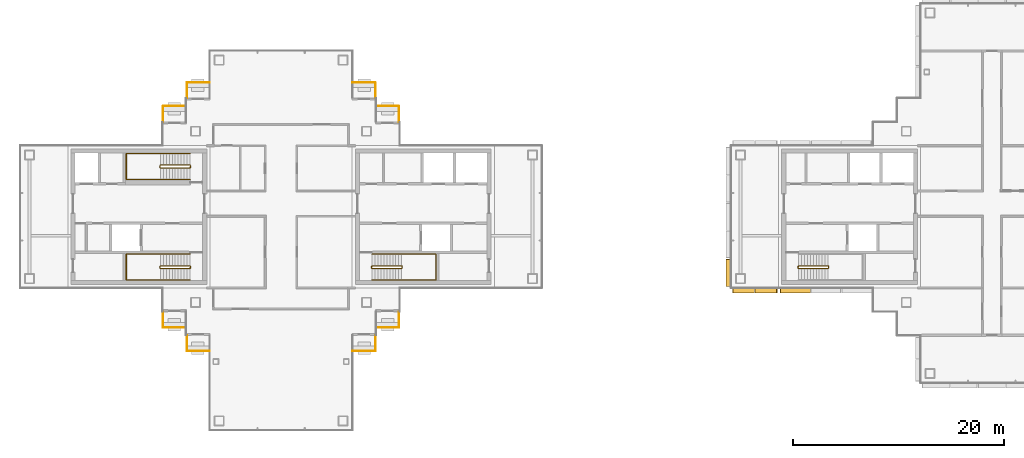
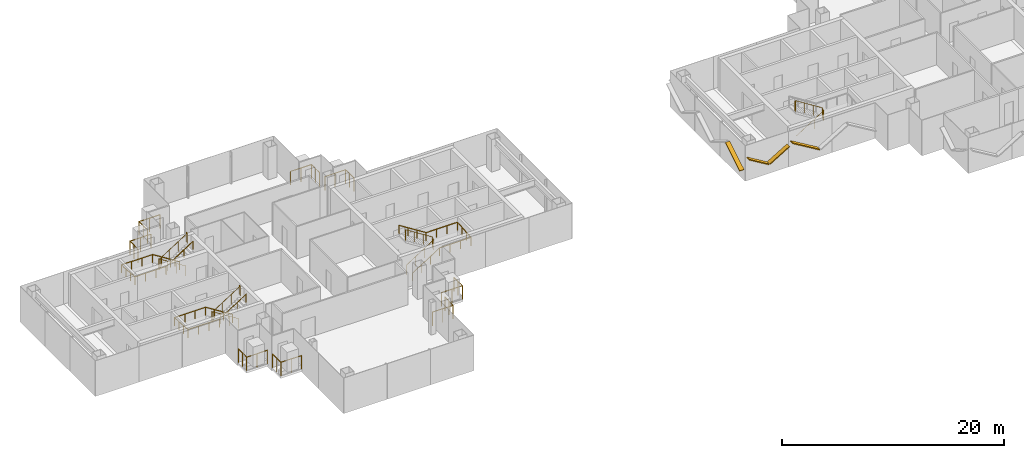
# One storey, part 14 of 17: 15 railings, 4 shading devices.
"""IFC4 building model written with IfcOpenShell, lengths in metres."""

from ifc_helpers import new_model, si_unit, direction, frame, origin, origin_2d, place, context, subcontext, project, spatial, rectangle, circle, extrude, material, material_profile, profile_set, type_object, element, save


model = new_model("IFC4")

# Units and contexts
model_context = context("Model", 3, precision=1e-05, world=origin(), true_north=direction((0.0, 1.0)))
body_context = subcontext(model_context, "Body", "Model", "MODEL_VIEW")
ifc_project = project(units=[si_unit("LENGTHUNIT", "METRE"), si_unit("AREAUNIT", "SQUARE_METRE"), si_unit("VOLUMEUNIT", "CUBIC_METRE"), si_unit("PLANEANGLEUNIT", "RADIAN"), si_unit("MASSUNIT", "GRAM", prefix="KILO")], contexts=[model_context])

# Site, building, storey
site_placement = place(None, origin())
site = spatial("IfcSite", under=ifc_project, at=site_placement, CompositionType="ELEMENT")
building_placement = place(site_placement, origin())
building = spatial("IfcBuilding", under=site, at=building_placement, Name="Shamsa Quay Exchange Towers", CompositionType="ELEMENT")
storey_placement = place(building_placement, frame((0.0, 0.0, 249.89990234375)))
storey = spatial("IfcBuildingStorey", under=building, at=storey_placement, Name="L60", CompositionType="ELEMENT", Elevation=249.89990234375)

# Railings
ifc_material_1 = material(Name="Steel S355, black powder-coated", Category="steel")
railing_type_1 = type_object("IfcRailingType", Name="BALCONY GUARD 1500", PredefinedType="GUARDRAIL", material=ifc_material_1)
for number, where, name in (
    (1, (-22.550048828125, 9.02099609375, 0.0), "Balcony guard T1-PKEN L60"),
    (2, (-24.800048828125, 11.27099609375, 0.0), "Balcony guard T1-PKEN L60"),
):
    element("IfcRailing", number, at=place(storey_placement, frame(where)), inside=storey, type_object=railing_type_1, Name=name, PredefinedType="GUARDRAIL", context=body_context, shape_type="SweptSolid", body=[
        extrude(circle(Radius=0.02392578125, at=origin_2d()), frame((0.0, 0.0, 1.47607421875), z_axis=(0.0, 1.0, 0.0), x_axis=(-1.0, 0.0, 0.0)), (0.0, 0.0, 1.0), 1.47900390625),
        extrude(circle(Radius=0.02392578125, at=origin_2d()), frame((0.0, 1.47900390625, 1.47607421875), z_axis=(-1.0, 0.0, 0.0), x_axis=(0.0, -1.0, 0.0)), (0.0, 0.0, 1.0), 2.161865234375),
        extrude(circle(Radius=0.02099609375, at=origin_2d()), origin(), (0.0, 0.0, 1.0), 1.451904296875),
        extrude(circle(Radius=0.02099609375, at=origin_2d()), frame((0.0, 0.739501953125, 0.0)), (0.0, 0.0, 1.0), 1.451904296875),
        extrude(circle(Radius=0.02099609375, at=origin_2d()), frame((0.0, 1.47900390625, 0.0)), (0.0, 0.0, 1.0), 1.451904296875),
        extrude(circle(Radius=0.02099609375, at=origin_2d()), frame((-1.0810546875, 1.47900390625, 0.0)), (0.0, 0.0, 1.0), 1.451904296875),
        extrude(circle(Radius=0.02099609375, at=origin_2d()), frame((-2.161865234375, 1.47900390625, 0.0)), (0.0, 0.0, 1.0), 1.451904296875),
    ])
for number, where, name in (
    (3, (-24.7119140625, -10.5, 0.0), "Balcony guard T1-PKES L60"),
    (4, (-26.9619140625, -12.75, 0.0), "Balcony guard T1-PKES L60"),
):
    element("IfcRailing", number, at=place(storey_placement, frame(where)), inside=storey, type_object=railing_type_1, Name=name, PredefinedType="GUARDRAIL", context=body_context, shape_type="SweptSolid", body=[
        extrude(circle(Radius=0.02392578125, at=origin_2d()), frame((0.0, 0.0, 1.47607421875), z_axis=(1.0, 0.0, 0.0), x_axis=(0.0, 1.0, 0.0)), (0.0, 0.0, 1.0), 2.161865234375),
        extrude(circle(Radius=0.02392578125, at=origin_2d()), frame((2.161865234375, 0.0, 1.47607421875), z_axis=(0.0, 1.0, 0.0), x_axis=(-1.0, 0.0, 0.0)), (0.0, 0.0, 1.0), 1.47900390625),
        extrude(circle(Radius=0.02099609375, at=origin_2d()), origin(), (0.0, 0.0, 1.0), 1.451904296875),
        extrude(circle(Radius=0.02099609375, at=origin_2d()), frame((1.0810546875, 0.0, 0.0)), (0.0, 0.0, 1.0), 1.451904296875),
        extrude(circle(Radius=0.02099609375, at=origin_2d()), frame((2.161865234375, 0.0, 0.0)), (0.0, 0.0, 1.0), 1.451904296875),
        extrude(circle(Radius=0.02099609375, at=origin_2d()), frame((2.161865234375, 0.739501953125, 0.0)), (0.0, 0.0, 1.0), 1.451904296875),
        extrude(circle(Radius=0.02099609375, at=origin_2d()), frame((2.161865234375, 1.47900390625, 0.0)), (0.0, 0.0, 1.0), 1.451904296875),
    ])
for number, where, name in (
    (5, (-40.5380859375, 12.75, 0.0), "Balcony guard T1-PKWN L60"),
    (6, (-42.7880859375, 10.5, 0.0), "Balcony guard T1-PKWN L60"),
):
    element("IfcRailing", number, at=place(storey_placement, frame(where)), inside=storey, type_object=railing_type_1, Name=name, PredefinedType="GUARDRAIL", context=body_context, shape_type="SweptSolid", body=[
        extrude(circle(Radius=0.02392578125, at=origin_2d()), frame((0.0, 0.0, 1.47607421875), z_axis=(-1.0, 0.0, 0.0), x_axis=(0.0, -1.0, 0.0)), (0.0, 0.0, 1.0), 2.161865234375),
        extrude(circle(Radius=0.02392578125, at=origin_2d()), frame((-2.161865234375, 0.0, 1.47607421875), z_axis=(0.0, -1.0, 0.0), x_axis=(1.0, 0.0, 0.0)), (0.0, 0.0, 1.0), 1.47900390625),
        extrude(circle(Radius=0.02099609375, at=origin_2d()), origin(), (0.0, 0.0, 1.0), 1.451904296875),
        extrude(circle(Radius=0.02099609375, at=origin_2d()), frame((-1.0810546875, 0.0, 0.0)), (0.0, 0.0, 1.0), 1.451904296875),
        extrude(circle(Radius=0.02099609375, at=origin_2d()), frame((-2.161865234375, 0.0, 0.0)), (0.0, 0.0, 1.0), 1.451904296875),
        extrude(circle(Radius=0.02099609375, at=origin_2d()), frame((-2.161865234375, -0.739501953125, 0.0)), (0.0, 0.0, 1.0), 1.451904296875),
        extrude(circle(Radius=0.02099609375, at=origin_2d()), frame((-2.161865234375, -1.47900390625, 0.0)), (0.0, 0.0, 1.0), 1.451904296875),
    ])
for number, where, name in (
    (7, (-44.949951171875, -9.02099609375, 0.0), "Balcony guard T1-PKWS L60"),
    (8, (-42.699951171875, -11.27099609375, 0.0), "Balcony guard T1-PKWS L60"),
):
    element("IfcRailing", number, at=place(storey_placement, frame(where)), inside=storey, type_object=railing_type_1, Name=name, PredefinedType="GUARDRAIL", context=body_context, shape_type="SweptSolid", body=[
        extrude(circle(Radius=0.02392578125, at=origin_2d()), frame((0.0, 0.0, 1.47607421875), z_axis=(0.0, -1.0, 0.0), x_axis=(1.0, 0.0, 0.0)), (0.0, 0.0, 1.0), 1.47900390625),
        extrude(circle(Radius=0.02392578125, at=origin_2d()), frame((0.0, -1.47900390625, 1.47607421875), z_axis=(1.0, 0.0, 0.0), x_axis=(0.0, 1.0, 0.0)), (0.0, 0.0, 1.0), 2.161865234375),
        extrude(circle(Radius=0.02099609375, at=origin_2d()), origin(), (0.0, 0.0, 1.0), 1.451904296875),
        extrude(circle(Radius=0.02099609375, at=origin_2d()), frame((0.0, -0.739501953125, 0.0)), (0.0, 0.0, 1.0), 1.451904296875),
        extrude(circle(Radius=0.02099609375, at=origin_2d()), frame((0.0, -1.47900390625, 0.0)), (0.0, 0.0, 1.0), 1.451904296875),
        extrude(circle(Radius=0.02099609375, at=origin_2d()), frame((1.0810546875, -1.47900390625, 0.0)), (0.0, 0.0, 1.0), 1.451904296875),
        extrude(circle(Radius=0.02099609375, at=origin_2d()), frame((2.161865234375, -1.47900390625, 0.0)), (0.0, 0.0, 1.0), 1.451904296875),
    ])

# Shading devices
ifc_material_2 = material(Name="Aluminium EN AW-6063 T6, black anodised", Category="aluminium")
ifc_material_profile = material_profile(ifc_material_2, rectangle(XDim=0.449951171875, YDim=0.10009765625, at=origin_2d()), Name="FIN450x100")
ifc_profile_set = profile_set([ifc_material_profile], Name="Aluminium EN AW-6063 T6, black anodised")
shading_device_type = type_object("IfcShadingDeviceType", Name="FIN 450x100 BLACK ALUMINIUM", PredefinedType="USERDEFINED", material=ifc_profile_set)
shading_device_1_placement = place(storey_placement, frame((8.735107421875, -4.010009765625, 2.378173828125), z_axis=(0.0, -0.857186216295, -0.515006592767), x_axis=(1.0, 0.0, 0.0)))
element("IfcShadingDevice", 9, at=shading_device_1_placement, inside=storey, type_object=shading_device_type, Name="FIN T2 chevron rib", ObjectType="FIN", PredefinedType="USERDEFINED", context=body_context, shape_type="SweptSolid", body=[
    extrude(rectangle(XDim=0.449951171875, YDim=0.10009765625, at=origin_2d()), origin(), (0.0, 0.0, 1.0), 3.021728515625),
])
for number, where, z_axis, x_axis, name in (
    (10, (9.14990234375, -7.014892578125, 2.216064453125), (0.857141460525, 0.0, -0.515081077743), (0.0, 1.0, 0.0), "FIN T2 chevron rib"),
    (11, (11.300048828125, -7.014892578125, 0.984130859375), (0.857141460525, 0.0, 0.515081077743), (0.0, 1.0, 0.0), "FIN T2 chevron rib"),
):
    element("IfcShadingDevice", number, at=place(storey_placement, frame(where, z_axis=z_axis, x_axis=x_axis)), inside=storey, type_object=shading_device_type, Name=name, ObjectType="FIN", PredefinedType="USERDEFINED", context=body_context, shape_type="SweptSolid", body=[
        extrude(rectangle(XDim=0.449951171875, YDim=0.10009765625, at=origin_2d()), origin(), (0.0, 0.0, 1.0), 2.391845703125),
    ])
shading_device_2_placement = place(storey_placement, frame((13.64990234375, -7.01904296875, 2.456298828125), z_axis=(0.857181785947, 0.0, -0.515013966646), x_axis=(0.0, 1.0, 0.0)))
element("IfcShadingDevice", 12, at=shading_device_2_placement, inside=storey, type_object=shading_device_type, Name="FIN T2 chevron rib", ObjectType="FIN", PredefinedType="USERDEFINED", context=body_context, shape_type="SweptSolid", body=[
    extrude(rectangle(XDim=0.449951171875, YDim=0.10009765625, at=origin_2d()), origin(), (0.0, 0.0, 1.0), 3.324951171875),
])

# Railings
ifc_material_3 = material(Name="Stainless steel", Category="steel")
railing_type_2 = type_object("IfcRailingType", Name="STAIR GUARD 1100", PredefinedType="GUARDRAIL", material=ifc_material_3)
railing_1_placement = place(storey_placement, frame((-25.10009765625, -4.89990234375, 0.177490234375)))
element("IfcRailing", 13, at=railing_1_placement, inside=storey, type_object=railing_type_2, Name="L60 ST1 stair guard 1", PredefinedType="GUARDRAIL", context=body_context, shape_type="SweptSolid", body=[
    extrude(circle(Radius=0.02392578125, at=origin_2d()), frame((0.0, 0.0, 1.076171875), z_axis=(0.844908973607, 0.0, 0.534910110503), x_axis=(0.0, 1.0, 0.0)), (0.0, 0.0, 1.0), 3.31396484375),
    extrude(circle(Radius=0.02392578125, at=origin_2d()), frame((2.800048828125, 0.0, 2.8486328125), z_axis=(0.708833529934, 0.705375805398, 0.0), x_axis=(-0.705375805398, 0.708833529934, 0.0)), (0.0, 0.0, 1.0), 0.070556640625),
    extrude(circle(Radius=0.02392578125, at=origin_2d()), frame((2.85009765625, 0.0498046875, 2.8486328125), z_axis=(0.0, 1.0, 0.0), x_axis=(-1.0, 0.0, 0.0)), (0.0, 0.0, 1.0), 0.150146484375),
    extrude(circle(Radius=0.02392578125, at=origin_2d()), frame((2.85009765625, 0.199951171875, 2.8486328125), z_axis=(-0.262233686654, 0.262233686654, 0.928691007369), x_axis=(-0.707106781187, -0.707106781187, 0.0)), (0.0, 0.0, 1.0), 0.19091796875),
    extrude(circle(Radius=0.02392578125, at=origin_2d()), frame((2.800048828125, 0.25, 3.02587890625), z_axis=(-0.844908973607, 0.0, 0.534910110503), x_axis=(0.0, -1.0, 0.0)), (0.0, 0.0, 1.0), 3.31396484375),
    extrude(circle(Radius=0.02392578125, at=origin_2d()), frame((0.0, 0.25, 4.798828125), z_axis=(-0.24142163986, -0.970420317083, 0.0), x_axis=(0.970420317083, -0.24142163986, 0.0)), (0.0, 0.0, 1.0), 0.206298828125),
    extrude(circle(Radius=0.02392578125, at=origin_2d()), frame((-0.0498046875, 0.0498046875, 4.798828125), z_axis=(0.0, 1.0, 0.0), x_axis=(-1.0, 0.0, 0.0)), (0.0, 0.0, 1.0), 0.150146484375),
    extrude(circle(Radius=0.02099609375, at=origin_2d()), origin(), (0.0, 0.0, 1.0), 1.052001953125),
    extrude(circle(Radius=0.02099609375, at=origin_2d()), frame((0.933349609375, 0.0, 0.5908203125)), (0.0, 0.0, 1.0), 1.052001953125),
    extrude(circle(Radius=0.02099609375, at=origin_2d()), frame((1.86669921875, 0.0, 1.181884765625)), (0.0, 0.0, 1.0), 1.052001953125),
    extrude(circle(Radius=0.02099609375, at=origin_2d()), frame((2.800048828125, 0.0, 1.772705078125)), (0.0, 0.0, 1.0), 1.052001953125),
    extrude(circle(Radius=0.02099609375, at=origin_2d()), frame((2.85009765625, 0.0498046875, 1.772705078125)), (0.0, 0.0, 1.0), 1.052001953125),
    extrude(circle(Radius=0.02099609375, at=origin_2d()), frame((2.85009765625, 0.199951171875, 1.772705078125)), (0.0, 0.0, 1.0), 1.052001953125),
    extrude(circle(Radius=0.02099609375, at=origin_2d()), frame((2.800048828125, 0.25, 1.949951171875)), (0.0, 0.0, 1.0), 1.052001953125),
    extrude(circle(Radius=0.02099609375, at=origin_2d()), frame((1.86669921875, 0.25, 2.540771484375)), (0.0, 0.0, 1.0), 1.052001953125),
    extrude(circle(Radius=0.02099609375, at=origin_2d()), frame((0.933349609375, 0.25, 3.1318359375)), (0.0, 0.0, 1.0), 1.052001953125),
    extrude(circle(Radius=0.02099609375, at=origin_2d()), frame((0.0, 0.25, 3.72265625)), (0.0, 0.0, 1.0), 1.052001953125),
    extrude(circle(Radius=0.02099609375, at=origin_2d()), frame((-0.0498046875, 0.0498046875, 3.72265625)), (0.0, 0.0, 1.0), 1.052001953125),
    extrude(circle(Radius=0.02099609375, at=origin_2d()), frame((-0.0498046875, 0.199951171875, 3.72265625)), (0.0, 0.0, 1.0), 1.052001953125),
])
railing_2_placement = place(storey_placement, frame((-42.39990234375, -4.64990234375, 0.177490234375)))
element("IfcRailing", 14, at=railing_2_placement, inside=storey, type_object=railing_type_2, Name="L60 ST2 stair guard 1", PredefinedType="GUARDRAIL", context=body_context, shape_type="SweptSolid", body=[
    extrude(circle(Radius=0.02392578125, at=origin_2d()), frame((0.0, 0.0, 1.076171875), z_axis=(-0.844908973607, 0.0, 0.534910110503), x_axis=(0.0, -1.0, 0.0)), (0.0, 0.0, 1.0), 3.31396484375),
    extrude(circle(Radius=0.02392578125, at=origin_2d()), frame((-2.800048828125, 0.0, 2.8486328125), z_axis=(-0.707106781187, -0.707106781187, 0.0), x_axis=(0.707106781187, -0.707106781187, 0.0)), (0.0, 0.0, 1.0), 0.07080078125),
    extrude(circle(Radius=0.02392578125, at=origin_2d()), frame((-2.85009765625, -0.050048828125, 2.8486328125), z_axis=(0.0, -1.0, 0.0), x_axis=(1.0, 0.0, 0.0)), (0.0, 0.0, 1.0), 0.150146484375),
    extrude(circle(Radius=0.02392578125, at=origin_2d()), frame((-2.85009765625, -0.2001953125, 2.8486328125), z_axis=(0.262321481514, -0.261041864531, 0.929001929653), x_axis=(0.705375805398, 0.708833529934, 0.0)), (0.0, 0.0, 1.0), 0.190673828125),
    extrude(circle(Radius=0.02392578125, at=origin_2d()), frame((-2.800048828125, -0.25, 3.02587890625), z_axis=(0.844908973607, 0.0, 0.534910110503), x_axis=(0.0, 1.0, 0.0)), (0.0, 0.0, 1.0), 3.31396484375),
    extrude(circle(Radius=0.02392578125, at=origin_2d()), frame((0.0, -0.25, 4.798828125), z_axis=(0.241699205484, 0.970351222016, 0.0), x_axis=(-0.970351222016, 0.241699205484, 0.0)), (0.0, 0.0, 1.0), 0.2060546875),
    extrude(circle(Radius=0.02392578125, at=origin_2d()), frame((0.0498046875, -0.050048828125, 4.798828125), z_axis=(0.0, -1.0, 0.0), x_axis=(1.0, 0.0, 0.0)), (0.0, 0.0, 1.0), 0.150146484375),
    extrude(circle(Radius=0.02099609375, at=origin_2d()), origin(), (0.0, 0.0, 1.0), 1.052001953125),
    extrude(circle(Radius=0.02099609375, at=origin_2d()), frame((-0.933349609375, 0.0, 0.5908203125)), (0.0, 0.0, 1.0), 1.052001953125),
    extrude(circle(Radius=0.02099609375, at=origin_2d()), frame((-1.86669921875, 0.0, 1.181884765625)), (0.0, 0.0, 1.0), 1.052001953125),
    extrude(circle(Radius=0.02099609375, at=origin_2d()), frame((-2.800048828125, 0.0, 1.772705078125)), (0.0, 0.0, 1.0), 1.052001953125),
    extrude(circle(Radius=0.02099609375, at=origin_2d()), frame((-2.85009765625, -0.050048828125, 1.772705078125)), (0.0, 0.0, 1.0), 1.052001953125),
    extrude(circle(Radius=0.02099609375, at=origin_2d()), frame((-2.85009765625, -0.2001953125, 1.772705078125)), (0.0, 0.0, 1.0), 1.052001953125),
    extrude(circle(Radius=0.02099609375, at=origin_2d()), frame((-2.800048828125, -0.25, 1.949951171875)), (0.0, 0.0, 1.0), 1.052001953125),
    extrude(circle(Radius=0.02099609375, at=origin_2d()), frame((-1.86669921875, -0.25, 2.540771484375)), (0.0, 0.0, 1.0), 1.052001953125),
    extrude(circle(Radius=0.02099609375, at=origin_2d()), frame((-0.933349609375, -0.25, 3.1318359375)), (0.0, 0.0, 1.0), 1.052001953125),
    extrude(circle(Radius=0.02099609375, at=origin_2d()), frame((0.0, -0.25, 3.72265625)), (0.0, 0.0, 1.0), 1.052001953125),
    extrude(circle(Radius=0.02099609375, at=origin_2d()), frame((0.0498046875, -0.050048828125, 3.72265625)), (0.0, 0.0, 1.0), 1.052001953125),
    extrude(circle(Radius=0.02099609375, at=origin_2d()), frame((0.0498046875, -0.2001953125, 3.72265625)), (0.0, 0.0, 1.0), 1.052001953125),
])
railing_3_placement = place(storey_placement, frame((-42.39990234375, 4.89990234375, 0.177490234375)))
element("IfcRailing", 15, at=railing_3_placement, inside=storey, type_object=railing_type_2, Name="L60 ST3 stair guard 1", PredefinedType="GUARDRAIL", context=body_context, shape_type="SweptSolid", body=[
    extrude(circle(Radius=0.02392578125, at=origin_2d()), frame((0.0, 0.0, 1.076171875), z_axis=(-0.844908973607, 0.0, 0.534910110503), x_axis=(0.0, -1.0, 0.0)), (0.0, 0.0, 1.0), 3.31396484375),
    extrude(circle(Radius=0.02392578125, at=origin_2d()), frame((-2.800048828125, 0.0, 2.8486328125), z_axis=(-0.708833529934, -0.705375805398, 0.0), x_axis=(0.705375805398, -0.708833529934, 0.0)), (0.0, 0.0, 1.0), 0.070556640625),
    extrude(circle(Radius=0.02392578125, at=origin_2d()), frame((-2.85009765625, -0.0498046875, 2.8486328125), z_axis=(0.0, -1.0, 0.0), x_axis=(1.0, 0.0, 0.0)), (0.0, 0.0, 1.0), 0.150146484375),
    extrude(circle(Radius=0.02392578125, at=origin_2d()), frame((-2.85009765625, -0.199951171875, 2.8486328125), z_axis=(0.262233686654, -0.262233686654, 0.928691007369), x_axis=(0.707106781187, 0.707106781187, 0.0)), (0.0, 0.0, 1.0), 0.19091796875),
    extrude(circle(Radius=0.02392578125, at=origin_2d()), frame((-2.800048828125, -0.25, 3.02587890625), z_axis=(0.844908973607, 0.0, 0.534910110503), x_axis=(0.0, 1.0, 0.0)), (0.0, 0.0, 1.0), 3.31396484375),
    extrude(circle(Radius=0.02392578125, at=origin_2d()), frame((0.0, -0.25, 4.798828125), z_axis=(0.24142163986, 0.970420317083, 0.0), x_axis=(-0.970420317083, 0.24142163986, 0.0)), (0.0, 0.0, 1.0), 0.206298828125),
    extrude(circle(Radius=0.02392578125, at=origin_2d()), frame((0.0498046875, -0.0498046875, 4.798828125), z_axis=(0.0, -1.0, 0.0), x_axis=(1.0, 0.0, 0.0)), (0.0, 0.0, 1.0), 0.150146484375),
    extrude(circle(Radius=0.02099609375, at=origin_2d()), origin(), (0.0, 0.0, 1.0), 1.052001953125),
    extrude(circle(Radius=0.02099609375, at=origin_2d()), frame((-0.933349609375, 0.0, 0.5908203125)), (0.0, 0.0, 1.0), 1.052001953125),
    extrude(circle(Radius=0.02099609375, at=origin_2d()), frame((-1.86669921875, 0.0, 1.181884765625)), (0.0, 0.0, 1.0), 1.052001953125),
    extrude(circle(Radius=0.02099609375, at=origin_2d()), frame((-2.800048828125, 0.0, 1.772705078125)), (0.0, 0.0, 1.0), 1.052001953125),
    extrude(circle(Radius=0.02099609375, at=origin_2d()), frame((-2.85009765625, -0.0498046875, 1.772705078125)), (0.0, 0.0, 1.0), 1.052001953125),
    extrude(circle(Radius=0.02099609375, at=origin_2d()), frame((-2.85009765625, -0.199951171875, 1.772705078125)), (0.0, 0.0, 1.0), 1.052001953125),
    extrude(circle(Radius=0.02099609375, at=origin_2d()), frame((-2.800048828125, -0.25, 1.949951171875)), (0.0, 0.0, 1.0), 1.052001953125),
    extrude(circle(Radius=0.02099609375, at=origin_2d()), frame((-1.86669921875, -0.25, 2.540771484375)), (0.0, 0.0, 1.0), 1.052001953125),
    extrude(circle(Radius=0.02099609375, at=origin_2d()), frame((-0.933349609375, -0.25, 3.1318359375)), (0.0, 0.0, 1.0), 1.052001953125),
    extrude(circle(Radius=0.02099609375, at=origin_2d()), frame((0.0, -0.25, 3.72265625)), (0.0, 0.0, 1.0), 1.052001953125),
    extrude(circle(Radius=0.02099609375, at=origin_2d()), frame((0.0498046875, -0.0498046875, 3.72265625)), (0.0, 0.0, 1.0), 1.052001953125),
    extrude(circle(Radius=0.02099609375, at=origin_2d()), frame((0.0498046875, -0.199951171875, 3.72265625)), (0.0, 0.0, 1.0), 1.052001953125),
])
railing_4_placement = place(storey_placement, frame((15.39990234375, -4.89990234375, 0.177490234375)))
element("IfcRailing", 16, at=railing_4_placement, inside=storey, type_object=railing_type_2, Name="L60 ST4 stair guard 1", PredefinedType="GUARDRAIL", context=body_context, shape_type="SweptSolid", body=[
    extrude(circle(Radius=0.02392578125, at=origin_2d()), frame((0.0, 0.0, 1.076171875), z_axis=(0.844908973607, 0.0, 0.534910110503), x_axis=(0.0, 1.0, 0.0)), (0.0, 0.0, 1.0), 3.31396484375),
    extrude(circle(Radius=0.02392578125, at=origin_2d()), frame((2.800048828125, 0.0, 2.8486328125), z_axis=(0.708833529934, 0.705375805398, 0.0), x_axis=(-0.705375805398, 0.708833529934, 0.0)), (0.0, 0.0, 1.0), 0.070556640625),
    extrude(circle(Radius=0.02392578125, at=origin_2d()), frame((2.85009765625, 0.0498046875, 2.8486328125), z_axis=(0.0, 1.0, 0.0), x_axis=(-1.0, 0.0, 0.0)), (0.0, 0.0, 1.0), 0.150146484375),
    extrude(circle(Radius=0.02392578125, at=origin_2d()), frame((2.85009765625, 0.199951171875, 2.8486328125), z_axis=(-0.262233686654, 0.262233686654, 0.928691007369), x_axis=(-0.707106781187, -0.707106781187, 0.0)), (0.0, 0.0, 1.0), 0.19091796875),
    extrude(circle(Radius=0.02392578125, at=origin_2d()), frame((2.800048828125, 0.25, 3.02587890625), z_axis=(-0.844908973607, 0.0, 0.534910110503), x_axis=(0.0, -1.0, 0.0)), (0.0, 0.0, 1.0), 3.31396484375),
    extrude(circle(Radius=0.02392578125, at=origin_2d()), frame((0.0, 0.25, 4.798828125), z_axis=(-0.24142163986, -0.970420317083, 0.0), x_axis=(0.970420317083, -0.24142163986, 0.0)), (0.0, 0.0, 1.0), 0.206298828125),
    extrude(circle(Radius=0.02392578125, at=origin_2d()), frame((-0.0498046875, 0.0498046875, 4.798828125), z_axis=(0.0, 1.0, 0.0), x_axis=(-1.0, 0.0, 0.0)), (0.0, 0.0, 1.0), 0.150146484375),
    extrude(circle(Radius=0.02099609375, at=origin_2d()), origin(), (0.0, 0.0, 1.0), 1.052001953125),
    extrude(circle(Radius=0.02099609375, at=origin_2d()), frame((0.933349609375, 0.0, 0.5908203125)), (0.0, 0.0, 1.0), 1.052001953125),
    extrude(circle(Radius=0.02099609375, at=origin_2d()), frame((1.86669921875, 0.0, 1.181884765625)), (0.0, 0.0, 1.0), 1.052001953125),
    extrude(circle(Radius=0.02099609375, at=origin_2d()), frame((2.800048828125, 0.0, 1.772705078125)), (0.0, 0.0, 1.0), 1.052001953125),
    extrude(circle(Radius=0.02099609375, at=origin_2d()), frame((2.85009765625, 0.0498046875, 1.772705078125)), (0.0, 0.0, 1.0), 1.052001953125),
    extrude(circle(Radius=0.02099609375, at=origin_2d()), frame((2.85009765625, 0.199951171875, 1.772705078125)), (0.0, 0.0, 1.0), 1.052001953125),
    extrude(circle(Radius=0.02099609375, at=origin_2d()), frame((2.800048828125, 0.25, 1.949951171875)), (0.0, 0.0, 1.0), 1.052001953125),
    extrude(circle(Radius=0.02099609375, at=origin_2d()), frame((1.86669921875, 0.25, 2.540771484375)), (0.0, 0.0, 1.0), 1.052001953125),
    extrude(circle(Radius=0.02099609375, at=origin_2d()), frame((0.933349609375, 0.25, 3.1318359375)), (0.0, 0.0, 1.0), 1.052001953125),
    extrude(circle(Radius=0.02099609375, at=origin_2d()), frame((0.0, 0.25, 3.72265625)), (0.0, 0.0, 1.0), 1.052001953125),
    extrude(circle(Radius=0.02099609375, at=origin_2d()), frame((-0.0498046875, 0.0498046875, 3.72265625)), (0.0, 0.0, 1.0), 1.052001953125),
    extrude(circle(Radius=0.02099609375, at=origin_2d()), frame((-0.0498046875, 0.199951171875, 3.72265625)), (0.0, 0.0, 1.0), 1.052001953125),
])
railing_type_3 = type_object("IfcRailingType", Name="STAIR HANDRAIL 900", PredefinedType="HANDRAIL", material=ifc_material_3)
railing_5_placement = place(storey_placement, frame((-25.10009765625, -6.0, 0.177490234375)))
element("IfcRailing", 17, at=railing_5_placement, inside=storey, type_object=railing_type_3, Name="L60 ST1 stair handrail 1", PredefinedType="HANDRAIL", context=body_context, shape_type="SweptSolid", body=[
    extrude(circle(Radius=0.02392578125, at=origin_2d()), frame((0.0, 0.0, 0.8759765625), z_axis=(0.844908973607, 0.0, 0.534910110503), x_axis=(0.0, 1.0, 0.0)), (0.0, 0.0, 1.0), 3.31396484375),
    extrude(circle(Radius=0.02392578125, at=origin_2d()), frame((2.800048828125, 0.0, 2.6484375), z_axis=(1.0, 0.0, 0.0), x_axis=(0.0, 1.0, 0.0)), (0.0, 0.0, 1.0), 3.25),
    extrude(circle(Radius=0.02392578125, at=origin_2d()), frame((6.050048828125, 0.0, 2.6484375), z_axis=(0.0, 0.997393199914, 0.07215819264), x_axis=(-1.0, 0.0, 0.0)), (0.0, 0.0, 1.0), 2.456298828125),
    extrude(circle(Radius=0.02392578125, at=origin_2d()), frame((6.050048828125, 2.449951171875, 2.82568359375), z_axis=(-1.0, 0.0, 0.0), x_axis=(0.0, -1.0, 0.0)), (0.0, 0.0, 1.0), 3.25),
    extrude(circle(Radius=0.02392578125, at=origin_2d()), frame((2.800048828125, 2.449951171875, 2.82568359375), z_axis=(-0.844908973607, 0.0, 0.534910110503), x_axis=(0.0, -1.0, 0.0)), (0.0, 0.0, 1.0), 3.31396484375),
    extrude(circle(Radius=0.02099609375, at=origin_2d()), origin(), (0.0, 0.0, 1.0), 0.851806640625),
    extrude(circle(Radius=0.02099609375, at=origin_2d()), frame((0.933349609375, 0.0, 0.5908203125)), (0.0, 0.0, 1.0), 0.851806640625),
    extrude(circle(Radius=0.02099609375, at=origin_2d()), frame((1.86669921875, 0.0, 1.181884765625)), (0.0, 0.0, 1.0), 0.851806640625),
    extrude(circle(Radius=0.02099609375, at=origin_2d()), frame((2.800048828125, 0.0, 1.772705078125)), (0.0, 0.0, 1.0), 0.851806640625),
    extrude(circle(Radius=0.02099609375, at=origin_2d()), frame((3.88330078125, 0.0, 1.772705078125)), (0.0, 0.0, 1.0), 0.851806640625),
    extrude(circle(Radius=0.02099609375, at=origin_2d()), frame((4.966796875, 0.0, 1.772705078125)), (0.0, 0.0, 1.0), 0.851806640625),
    extrude(circle(Radius=0.02099609375, at=origin_2d()), frame((6.050048828125, 0.0, 1.772705078125)), (0.0, 0.0, 1.0), 0.851806640625),
    extrude(circle(Radius=0.02099609375, at=origin_2d()), frame((6.050048828125, 0.816650390625, 1.831787109375)), (0.0, 0.0, 1.0), 0.851806640625),
    extrude(circle(Radius=0.02099609375, at=origin_2d()), frame((6.050048828125, 1.63330078125, 1.890869140625)), (0.0, 0.0, 1.0), 0.851806640625),
    extrude(circle(Radius=0.02099609375, at=origin_2d()), frame((6.050048828125, 2.449951171875, 1.949951171875)), (0.0, 0.0, 1.0), 0.851806640625),
    extrude(circle(Radius=0.02099609375, at=origin_2d()), frame((4.966796875, 2.449951171875, 1.949951171875)), (0.0, 0.0, 1.0), 0.851806640625),
    extrude(circle(Radius=0.02099609375, at=origin_2d()), frame((3.88330078125, 2.449951171875, 1.949951171875)), (0.0, 0.0, 1.0), 0.851806640625),
    extrude(circle(Radius=0.02099609375, at=origin_2d()), frame((2.800048828125, 2.449951171875, 1.949951171875)), (0.0, 0.0, 1.0), 0.851806640625),
    extrude(circle(Radius=0.02099609375, at=origin_2d()), frame((1.86669921875, 2.449951171875, 2.540771484375)), (0.0, 0.0, 1.0), 0.851806640625),
    extrude(circle(Radius=0.02099609375, at=origin_2d()), frame((0.933349609375, 2.449951171875, 3.1318359375)), (0.0, 0.0, 1.0), 0.851806640625),
    extrude(circle(Radius=0.02099609375, at=origin_2d()), frame((0.0, 2.449951171875, 3.72265625)), (0.0, 0.0, 1.0), 0.851806640625),
])
railing_6_placement = place(storey_placement, frame((-42.39990234375, -3.550048828125, 0.177490234375)))
element("IfcRailing", 18, at=railing_6_placement, inside=storey, type_object=railing_type_3, Name="L60 ST2 stair handrail 1", PredefinedType="HANDRAIL", context=body_context, shape_type="SweptSolid", body=[
    extrude(circle(Radius=0.02392578125, at=origin_2d()), frame((0.0, 0.0, 0.8759765625), z_axis=(-0.844908973607, 0.0, 0.534910110503), x_axis=(0.0, -1.0, 0.0)), (0.0, 0.0, 1.0), 3.31396484375),
    extrude(circle(Radius=0.02392578125, at=origin_2d()), frame((-2.800048828125, 0.0, 2.6484375), z_axis=(-1.0, 0.0, 0.0), x_axis=(0.0, -1.0, 0.0)), (0.0, 0.0, 1.0), 3.25),
    extrude(circle(Radius=0.02392578125, at=origin_2d()), frame((-6.050048828125, 0.0, 2.6484375), z_axis=(0.0, -0.997393199914, 0.07215819264), x_axis=(1.0, 0.0, 0.0)), (0.0, 0.0, 1.0), 2.456298828125),
    extrude(circle(Radius=0.02392578125, at=origin_2d()), frame((-6.050048828125, -2.449951171875, 2.82568359375), z_axis=(1.0, 0.0, 0.0), x_axis=(0.0, 1.0, 0.0)), (0.0, 0.0, 1.0), 3.25),
    extrude(circle(Radius=0.02392578125, at=origin_2d()), frame((-2.800048828125, -2.449951171875, 2.82568359375), z_axis=(0.844908973607, 0.0, 0.534910110503), x_axis=(0.0, 1.0, 0.0)), (0.0, 0.0, 1.0), 3.31396484375),
    extrude(circle(Radius=0.02099609375, at=origin_2d()), origin(), (0.0, 0.0, 1.0), 0.851806640625),
    extrude(circle(Radius=0.02099609375, at=origin_2d()), frame((-0.933349609375, 0.0, 0.5908203125)), (0.0, 0.0, 1.0), 0.851806640625),
    extrude(circle(Radius=0.02099609375, at=origin_2d()), frame((-1.86669921875, 0.0, 1.181884765625)), (0.0, 0.0, 1.0), 0.851806640625),
    extrude(circle(Radius=0.02099609375, at=origin_2d()), frame((-2.800048828125, 0.0, 1.772705078125)), (0.0, 0.0, 1.0), 0.851806640625),
    extrude(circle(Radius=0.02099609375, at=origin_2d()), frame((-3.88330078125, 0.0, 1.772705078125)), (0.0, 0.0, 1.0), 0.851806640625),
    extrude(circle(Radius=0.02099609375, at=origin_2d()), frame((-4.966796875, 0.0, 1.772705078125)), (0.0, 0.0, 1.0), 0.851806640625),
    extrude(circle(Radius=0.02099609375, at=origin_2d()), frame((-6.050048828125, 0.0, 1.772705078125)), (0.0, 0.0, 1.0), 0.851806640625),
    extrude(circle(Radius=0.02099609375, at=origin_2d()), frame((-6.050048828125, -0.816650390625, 1.831787109375)), (0.0, 0.0, 1.0), 0.851806640625),
    extrude(circle(Radius=0.02099609375, at=origin_2d()), frame((-6.050048828125, -1.63330078125, 1.890869140625)), (0.0, 0.0, 1.0), 0.851806640625),
    extrude(circle(Radius=0.02099609375, at=origin_2d()), frame((-6.050048828125, -2.449951171875, 1.949951171875)), (0.0, 0.0, 1.0), 0.851806640625),
    extrude(circle(Radius=0.02099609375, at=origin_2d()), frame((-4.966796875, -2.449951171875, 1.949951171875)), (0.0, 0.0, 1.0), 0.851806640625),
    extrude(circle(Radius=0.02099609375, at=origin_2d()), frame((-3.88330078125, -2.449951171875, 1.949951171875)), (0.0, 0.0, 1.0), 0.851806640625),
    extrude(circle(Radius=0.02099609375, at=origin_2d()), frame((-2.800048828125, -2.449951171875, 1.949951171875)), (0.0, 0.0, 1.0), 0.851806640625),
    extrude(circle(Radius=0.02099609375, at=origin_2d()), frame((-1.86669921875, -2.449951171875, 2.540771484375)), (0.0, 0.0, 1.0), 0.851806640625),
    extrude(circle(Radius=0.02099609375, at=origin_2d()), frame((-0.933349609375, -2.449951171875, 3.1318359375)), (0.0, 0.0, 1.0), 0.851806640625),
    extrude(circle(Radius=0.02099609375, at=origin_2d()), frame((0.0, -2.449951171875, 3.72265625)), (0.0, 0.0, 1.0), 0.851806640625),
])
railing_7_placement = place(storey_placement, frame((-42.39990234375, 6.0, 0.177490234375)))
element("IfcRailing", 19, at=railing_7_placement, inside=storey, type_object=railing_type_3, Name="L60 ST3 stair handrail 1", PredefinedType="HANDRAIL", context=body_context, shape_type="SweptSolid", body=[
    extrude(circle(Radius=0.02392578125, at=origin_2d()), frame((0.0, 0.0, 0.8759765625), z_axis=(-0.844908973607, 0.0, 0.534910110503), x_axis=(0.0, -1.0, 0.0)), (0.0, 0.0, 1.0), 3.31396484375),
    extrude(circle(Radius=0.02392578125, at=origin_2d()), frame((-2.800048828125, 0.0, 2.6484375), z_axis=(-1.0, 0.0, 0.0), x_axis=(0.0, -1.0, 0.0)), (0.0, 0.0, 1.0), 3.25),
    extrude(circle(Radius=0.02392578125, at=origin_2d()), frame((-6.050048828125, 0.0, 2.6484375), z_axis=(0.0, -0.997393199914, 0.07215819264), x_axis=(1.0, 0.0, 0.0)), (0.0, 0.0, 1.0), 2.456298828125),
    extrude(circle(Radius=0.02392578125, at=origin_2d()), frame((-6.050048828125, -2.449951171875, 2.82568359375), z_axis=(1.0, 0.0, 0.0), x_axis=(0.0, 1.0, 0.0)), (0.0, 0.0, 1.0), 3.25),
    extrude(circle(Radius=0.02392578125, at=origin_2d()), frame((-2.800048828125, -2.449951171875, 2.82568359375), z_axis=(0.844908973607, 0.0, 0.534910110503), x_axis=(0.0, 1.0, 0.0)), (0.0, 0.0, 1.0), 3.31396484375),
    extrude(circle(Radius=0.02099609375, at=origin_2d()), origin(), (0.0, 0.0, 1.0), 0.851806640625),
    extrude(circle(Radius=0.02099609375, at=origin_2d()), frame((-0.933349609375, 0.0, 0.5908203125)), (0.0, 0.0, 1.0), 0.851806640625),
    extrude(circle(Radius=0.02099609375, at=origin_2d()), frame((-1.86669921875, 0.0, 1.181884765625)), (0.0, 0.0, 1.0), 0.851806640625),
    extrude(circle(Radius=0.02099609375, at=origin_2d()), frame((-2.800048828125, 0.0, 1.772705078125)), (0.0, 0.0, 1.0), 0.851806640625),
    extrude(circle(Radius=0.02099609375, at=origin_2d()), frame((-3.88330078125, 0.0, 1.772705078125)), (0.0, 0.0, 1.0), 0.851806640625),
    extrude(circle(Radius=0.02099609375, at=origin_2d()), frame((-4.966796875, 0.0, 1.772705078125)), (0.0, 0.0, 1.0), 0.851806640625),
    extrude(circle(Radius=0.02099609375, at=origin_2d()), frame((-6.050048828125, 0.0, 1.772705078125)), (0.0, 0.0, 1.0), 0.851806640625),
    extrude(circle(Radius=0.02099609375, at=origin_2d()), frame((-6.050048828125, -0.816650390625, 1.831787109375)), (0.0, 0.0, 1.0), 0.851806640625),
    extrude(circle(Radius=0.02099609375, at=origin_2d()), frame((-6.050048828125, -1.63330078125, 1.890869140625)), (0.0, 0.0, 1.0), 0.851806640625),
    extrude(circle(Radius=0.02099609375, at=origin_2d()), frame((-6.050048828125, -2.449951171875, 1.949951171875)), (0.0, 0.0, 1.0), 0.851806640625),
    extrude(circle(Radius=0.02099609375, at=origin_2d()), frame((-4.966796875, -2.449951171875, 1.949951171875)), (0.0, 0.0, 1.0), 0.851806640625),
    extrude(circle(Radius=0.02099609375, at=origin_2d()), frame((-3.88330078125, -2.449951171875, 1.949951171875)), (0.0, 0.0, 1.0), 0.851806640625),
    extrude(circle(Radius=0.02099609375, at=origin_2d()), frame((-2.800048828125, -2.449951171875, 1.949951171875)), (0.0, 0.0, 1.0), 0.851806640625),
    extrude(circle(Radius=0.02099609375, at=origin_2d()), frame((-1.86669921875, -2.449951171875, 2.540771484375)), (0.0, 0.0, 1.0), 0.851806640625),
    extrude(circle(Radius=0.02099609375, at=origin_2d()), frame((-0.933349609375, -2.449951171875, 3.1318359375)), (0.0, 0.0, 1.0), 0.851806640625),
    extrude(circle(Radius=0.02099609375, at=origin_2d()), frame((0.0, -2.449951171875, 3.72265625)), (0.0, 0.0, 1.0), 0.851806640625),
])

save(model, "model.ifc")
